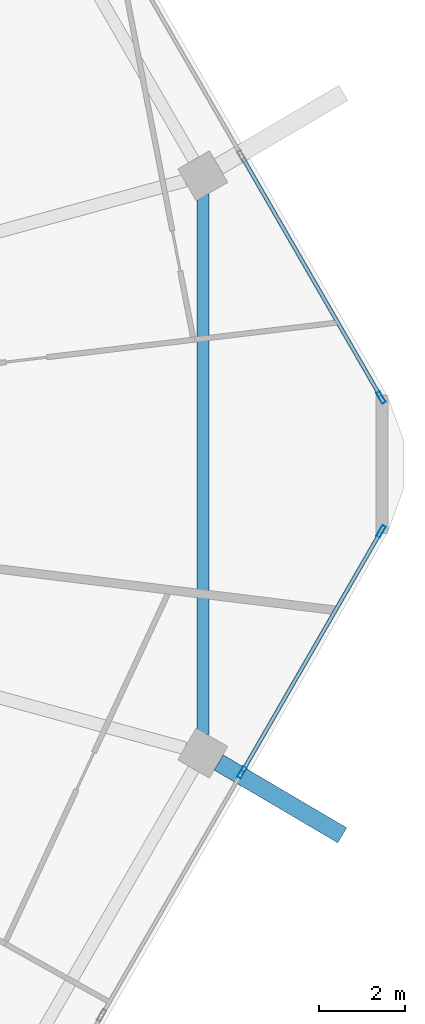
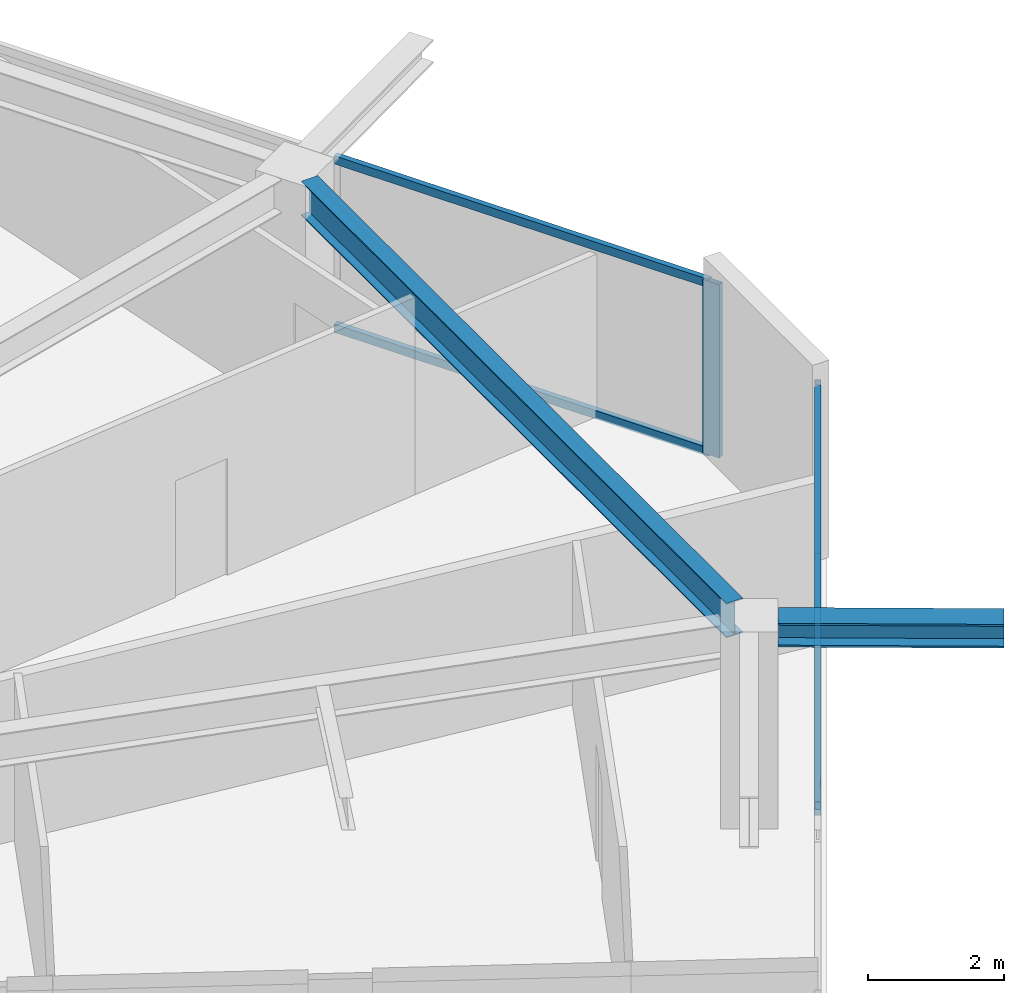
# One storey, part 10 of 27: 7 members, 2 beams, 2 elements without a shape of their own.
"""IFC4 building model written with IfcOpenShell, lengths in metres."""

from ifc_helpers import new_model, si_unit, direction, frame, origin, origin_2d, place, context, subcontext, project, spatial, hollow_rectangle, i_section, extrude, material, material_profile, profile_set, type_object, element, aggregate, save


model = new_model("IFC4")

# Units and contexts
model_context = context("Model", 3, precision=1e-05, world=origin(), true_north=direction((0.0, 1.0)))
body_context = subcontext(model_context, "Body", "Model", "MODEL_VIEW")
ifc_project = project(units=[si_unit("LENGTHUNIT", "METRE"), si_unit("AREAUNIT", "SQUARE_METRE"), si_unit("VOLUMEUNIT", "CUBIC_METRE"), si_unit("PLANEANGLEUNIT", "RADIAN"), si_unit("MASSUNIT", "GRAM", prefix="KILO")], contexts=[model_context])

# Site, building, storey
site_placement = place(None, origin())
site = spatial("IfcSite", under=ifc_project, at=site_placement, CompositionType="ELEMENT")
building_placement = place(site_placement, origin())
building = spatial("IfcBuilding", under=site, at=building_placement, Name="Zuhravey Tower", CompositionType="ELEMENT")
storey_placement = place(building_placement, frame((0.0, 0.0, 265.39990234375)))
storey = spatial("IfcBuildingStorey", under=building, at=storey_placement, Name="L67", CompositionType="ELEMENT", Elevation=265.39990234375)

# Curtain wall, members
ifc_material_1 = material(Name="Thermally broken anodised aluminium", Category="aluminium")
curtain_wall_type = type_object("IfcCurtainWallType", Name="Zone 3-4 High-Rise Curtain Wall CW4", PredefinedType="NOTDEFINED", material=ifc_material_1)
curtain_wall_1_placement = place(storey_placement, origin())
curtain_wall_1 = element("IfcCurtainWall", 1, at=curtain_wall_1_placement, inside=storey, type_object=curtain_wall_type, Name="L67 CW4 CW-L67-F6-1", PredefinedType="NOTDEFINED")
ifc_material_2 = material(Name="Anodised aluminium", Category="aluminium")
ifc_material_profile_1 = material_profile(ifc_material_2, hollow_rectangle(XDim=0.090087890625, YDim=0.284912109375, WallThickness=0.0048828125, at=origin_2d()), Name="ALU-RHS-90x285x5")
ifc_profile_set_1 = profile_set([ifc_material_profile_1], Name="Anodised aluminium")
member_type_1 = type_object("IfcMemberType", Name="Curtain-Wall Mullion 90x180", PredefinedType="MULLION", material=ifc_profile_set_1)
member_1_placement = place(storey_placement, frame((64.62255859375, 30.448486328125, 0.0), z_axis=(0.0, 0.0, 1.0), x_axis=(0.866024851021, -0.500000957414, 0.0)))
member_1 = element("IfcMember", 2, at=member_1_placement, type_object=member_type_1, Name="CW4 mullion 1", PredefinedType="MULLION", context=body_context, shape_type="SweptSolid", body=[
    extrude(hollow_rectangle(XDim=0.090087890625, YDim=0.284912109375, WallThickness=0.0048828125, at=origin_2d()), origin(), (0.0, 0.0, 1.0), 3.1220703125),
])
member_2_placement = place(storey_placement, frame((61.391845703125, 24.852783203125, 0.0), z_axis=(0.0, 0.0, 1.0), x_axis=(0.866024851021, -0.500000957414, 0.0)))
member_2 = element("IfcMember", 3, at=member_2_placement, type_object=member_type_1, Name="CW4 mullion 2", PredefinedType="MULLION", context=body_context, shape_type="SweptSolid", body=[
    extrude(hollow_rectangle(XDim=0.090087890625, YDim=0.284912109375, WallThickness=0.0048828125, at=origin_2d()), origin(), (0.0, 0.0, 1.0), 3.1220703125),
])

# Curtain wall, member
curtain_wall_2_placement = place(storey_placement, origin())
curtain_wall_2 = element("IfcCurtainWall", 4, at=curtain_wall_2_placement, inside=storey, type_object=curtain_wall_type, Name="L67 CW4 CW-L67-F1-1", PredefinedType="NOTDEFINED")
member_3_placement = place(storey_placement, frame((64.62255859375, 33.551513671875, 0.0), z_axis=(0.0, 0.0, 1.0), x_axis=(0.866024851021, 0.500000957414, 0.0)))
member_3 = element("IfcMember", 5, at=member_3_placement, type_object=member_type_1, Name="CW4 mullion 5", PredefinedType="MULLION", context=body_context, shape_type="SweptSolid", body=[
    extrude(hollow_rectangle(XDim=0.090087890625, YDim=0.284912109375, WallThickness=0.0048828125, at=origin_2d()), origin(), (0.0, 0.0, 1.0), 3.1220703125),
])

# Member
ifc_material_profile_2 = material_profile(ifc_material_2, hollow_rectangle(XDim=0.090087890625, YDim=0.14990234375, WallThickness=0.0048828125, at=origin_2d()), Name="ALU-RHS-90x150x5")
ifc_profile_set_2 = profile_set([ifc_material_profile_2], Name="Anodised aluminium")
member_type_2 = type_object("IfcMemberType", Name="Curtain-Wall Transom 90x150", PredefinedType="USERDEFINED", material=ifc_profile_set_2)
member_4_placement = place(storey_placement, frame((64.60009765625, 30.40966796875, 0.045166015625), z_axis=(-0.500008810174, -0.866020317169, 0.0), x_axis=(0.866020317169, -0.500008810174, 0.0)))
member_4 = element("IfcMember", 6, at=member_4_placement, type_object=member_type_2, Name="CW4 transom 1.1", ObjectType="TRANSOM", PredefinedType="USERDEFINED", context=body_context, shape_type="SweptSolid", body=[
    extrude(hollow_rectangle(XDim=0.090087890625, YDim=0.14990234375, WallThickness=0.0048828125, at=origin_2d()), origin(), (0.0, 0.0, 1.0), 6.37158203125),
])

member_5_placement = place(storey_placement, frame((64.60009765625, 30.40966796875, 3.0771484375), z_axis=(-0.500008810174, -0.866020317169, 0.0), x_axis=(0.866020317169, -0.500008810174, 0.0)))
member_5 = element("IfcMember", 7, at=member_5_placement, type_object=member_type_2, Name="CW4 transom 1.2", ObjectType="TRANSOM", PredefinedType="USERDEFINED", context=body_context, shape_type="SweptSolid", body=[
    extrude(hollow_rectangle(XDim=0.090087890625, YDim=0.14990234375, WallThickness=0.0048828125, at=origin_2d()), origin(), (0.0, 0.0, 1.0), 6.37158203125),
])

aggregate(curtain_wall_1, [member_1, member_2, member_4, member_5])

member_6_placement = place(storey_placement, frame((61.414306640625, 39.108154296875, 0.045166015625), z_axis=(0.500008810174, -0.866020317169, 0.0), x_axis=(0.866020317169, 0.500008810174, 0.0)))
member_6 = element("IfcMember", 8, at=member_6_placement, type_object=member_type_2, Name="CW4 transom 4.1", ObjectType="TRANSOM", PredefinedType="USERDEFINED", context=body_context, shape_type="SweptSolid", body=[
    extrude(hollow_rectangle(XDim=0.090087890625, YDim=0.14990234375, WallThickness=0.0048828125, at=origin_2d()), origin(), (0.0, 0.0, 1.0), 6.37158203125),
])

member_7_placement = place(storey_placement, frame((61.414306640625, 39.108154296875, 3.0771484375), z_axis=(0.500008810174, -0.866020317169, 0.0), x_axis=(0.866020317169, 0.500008810174, 0.0)))
member_7 = element("IfcMember", 9, at=member_7_placement, type_object=member_type_2, Name="CW4 transom 4.2", ObjectType="TRANSOM", PredefinedType="USERDEFINED", context=body_context, shape_type="SweptSolid", body=[
    extrude(hollow_rectangle(XDim=0.090087890625, YDim=0.14990234375, WallThickness=0.0048828125, at=origin_2d()), origin(), (0.0, 0.0, 1.0), 6.37158203125),
])

aggregate(curtain_wall_2, [member_3, member_6, member_7])

# Beams
ifc_material_3 = material(Name="Steel SM460", Category="steel")
ifc_material_profile_3 = material_profile(ifc_material_3, i_section(OverallWidth=0.406982421875, OverallDepth=0.427978515625, WebThickness=0.02001953125, FlangeThickness=0.034912109375, at=origin_2d()), Name="H-428x407x20x35")
ifc_profile_set_3 = profile_set([ifc_material_profile_3], Name="Steel SM460")
beam_type_1 = type_object("IfcBeamType", Name="Exoskeleton Node Tie Beam H428x407", PredefinedType="BEAM", material=ifc_profile_set_3)
beam_1_placement = place(storey_placement, frame((60.854248046875, 25.083251953125, 3.336181640625), z_axis=(0.861603813427, -0.507581391195, 0.0), x_axis=(0.507581391195, 0.861603813427, 0.0)))
element("IfcBeam", 10, at=beam_1_placement, inside=storey, type_object=beam_type_1, Name="L67 Exoskeleton Node Tie NT1-12", PredefinedType="BEAM", context=body_context, shape_type="SweptSolid", body=[
    extrude(i_section(OverallWidth=0.406982421875, OverallDepth=0.427978515625, WebThickness=0.02001953125, FlangeThickness=0.034912109375, at=origin_2d()), origin(), (0.0, 0.0, 1.0), 3.325927734375),
])
ifc_material_4 = material(Name="Steel SM355", Category="steel")
ifc_material_profile_4 = material_profile(ifc_material_4, i_section(OverallWidth=0.280029296875, OverallDepth=0.6201171875, WebThickness=0.011962890625, FlangeThickness=0.02001953125, at=origin_2d()), Name="H-620x280x12x20")
ifc_profile_set_4 = profile_set([ifc_material_profile_4], Name="Steel SM355")
beam_type_2 = type_object("IfcBeamType", Name="Perimeter Ring Beam H620x280", PredefinedType="BEAM", material=ifc_profile_set_4)
beam_2_placement = place(storey_placement, frame((60.484619140625, 25.72900390625, 3.239990234375), z_axis=(0.0, 1.0, 0.0), x_axis=(-1.0, 0.0, 0.0)))
element("IfcBeam", 11, at=beam_2_placement, inside=storey, type_object=beam_type_2, Name="L67 PB3 BM-L67-PB-12", PredefinedType="BEAM", context=body_context, shape_type="SweptSolid", body=[
    extrude(i_section(OverallWidth=0.280029296875, OverallDepth=0.6201171875, WebThickness=0.011962890625, FlangeThickness=0.02001953125, at=origin_2d()), origin(), (0.0, 0.0, 1.0), 12.5419921875),
])

save(model, "model.ifc")
